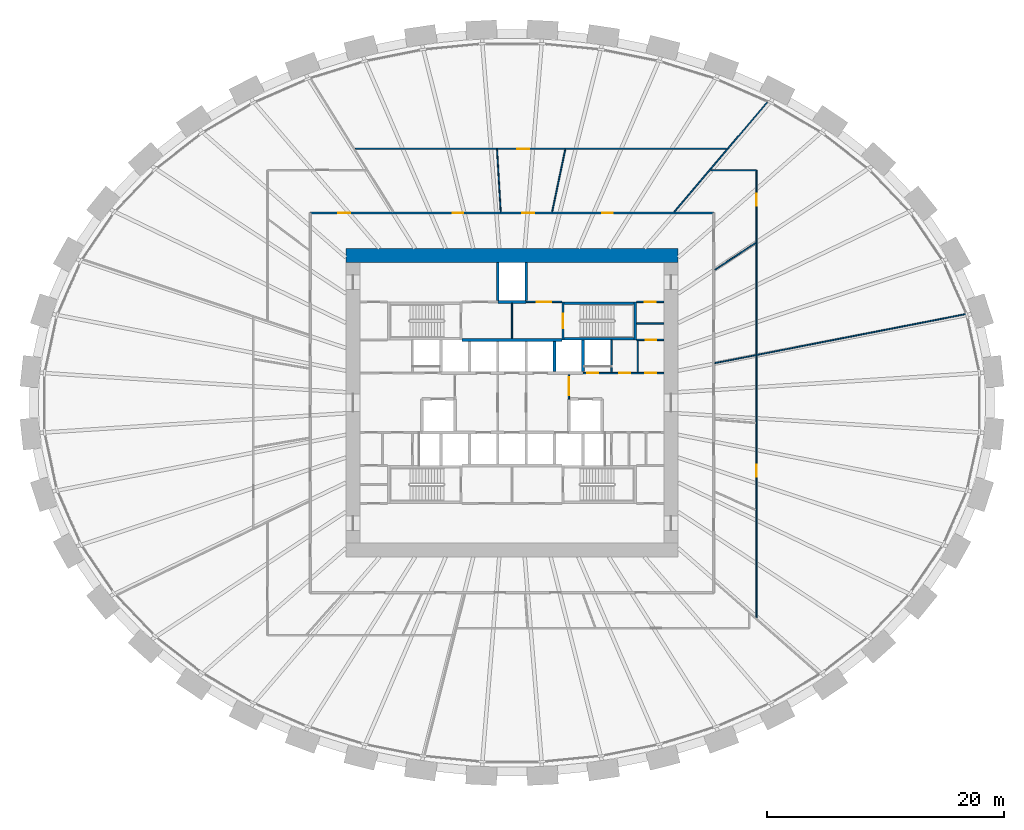
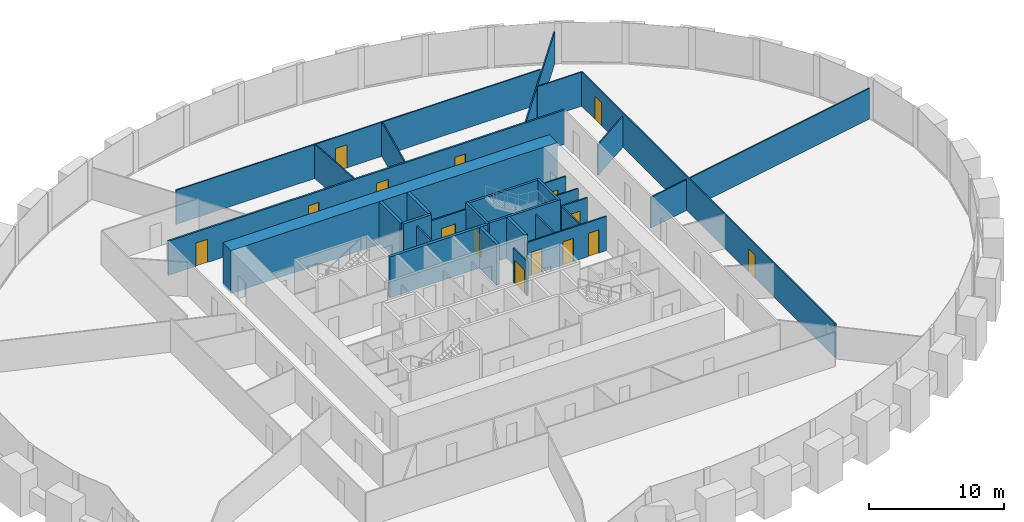
# One storey, part 9 of 11: 29 walls, 15 doors, 15 openings.
"""IFC4 building model written with IfcOpenShell, lengths in metres."""

from ifc_helpers import new_model, si_unit, direction, frame, frame_2d, origin, place, context, subcontext, project, spatial, rectangle, extrude, source, transform, mapped, material, layer, layer_set, type_object, element, fill, save


model = new_model("IFC4")

# Units and contexts
model_context = context("Model", 3, precision=1e-05, world=origin(), true_north=direction((0.0, 1.0)))
body_context = subcontext(model_context, "Body", "Model", "MODEL_VIEW")
ifc_project = project(units=[si_unit("LENGTHUNIT", "METRE"), si_unit("AREAUNIT", "SQUARE_METRE"), si_unit("VOLUMEUNIT", "CUBIC_METRE"), si_unit("PLANEANGLEUNIT", "RADIAN"), si_unit("MASSUNIT", "GRAM", prefix="KILO")], contexts=[model_context])

# Site, building, storey
site_placement = place(None, origin())
site = spatial("IfcSite", under=ifc_project, at=site_placement, CompositionType="ELEMENT")
building_placement = place(site_placement, origin())
building = spatial("IfcBuilding", under=site, at=building_placement, Name="Embergate Tower", CompositionType="ELEMENT")
storey_placement = place(building_placement, frame((0.0, 0.0, 58.10009765625)))
storey = spatial("IfcBuildingStorey", under=building, at=storey_placement, Name="L10", CompositionType="ELEMENT", Elevation=58.10009765625)

# Walls
ifc_material_1 = material(Name="Concrete C80", Category="concrete")
ifc_layer_1 = layer(ifc_material_1, 1.199951171875)
ifc_layer_set_1 = layer_set([ifc_layer_1], Name="Concrete C80")
wall_type_1 = type_object("IfcWallType", Name="Core outer wall C80 1200", PredefinedType="SHEAR", material=ifc_layer_set_1)
shared_shape_1 = source(origin(), body_context, "Body", "SweptSolid", [
    extrude(rectangle(XDim=28.0, YDim=1.199951171875, at=frame_2d((14.0, 0.0))), origin(), (0.0, 0.0, 1.0), 3.900146484375),
])
wall_1_placement = place(storey_placement, frame((-14.0, 12.39990234375, -0.2001953125), z_axis=(0.0, 0.0, 1.0), x_axis=(1.0, 0.0, 0.0)))
element("IfcWall", 1, at=wall_1_placement, inside=storey, type_object=wall_type_1, Name="CW-L10-N", PredefinedType="SHEAR", context=body_context, shape_type="MappedRepresentation", body=[
    mapped(shared_shape_1, transform((0.0, 0.0, 0.0))),
])
ifc_material_2 = material(Name="Concrete C50", Category="concrete")
ifc_layer_2 = layer(ifc_material_2, 0.25)
ifc_layer_set_2 = layer_set([ifc_layer_2], Name="Concrete C50")
wall_type_2 = type_object("IfcWallType", Name="Hoistway wall reinforced concrete 250", PredefinedType="SHEAR", material=ifc_layer_set_2)
shared_shape_2 = source(origin(), body_context, "Body", "SweptSolid", [
    extrude(rectangle(XDim=2.675048828125, YDim=0.25, at=frame_2d((1.33740234375, 0.0))), origin(), (0.0, 0.0, 1.0), 3.699951171875),
])
wall_2_placement = place(storey_placement, frame((6.0, 2.625, 0.0), z_axis=(0.0, 0.0, 1.0), x_axis=(0.0, 1.0, 0.0)))
element("IfcWall", 2, at=wall_2_placement, inside=storey, type_object=wall_type_2, Name="HW-1 wall", PredefinedType="SHEAR", context=body_context, shape_type="MappedRepresentation", body=[
    mapped(shared_shape_2, transform((0.0, 0.0, 0.0))),
])
ifc_layer_3 = layer(ifc_material_2, 0.199951171875)
ifc_layer_set_3 = layer_set([ifc_layer_3], Name="Concrete C50")
wall_type_3 = type_object("IfcWallType", Name="Stair enclosure wall reinforced concrete 250", PredefinedType="SHEAR", material=ifc_layer_set_3)
shared_shape_3 = source(origin(), body_context, "Body", "SweptSolid", [
    extrude(rectangle(XDim=6.300048828125, YDim=0.199951171875, at=frame_2d((3.14990234375, 0.0))), origin(), (0.0, 0.0, 1.0), 3.699951171875),
])
for number, where, z_axis, x_axis, name in (
    (3, (10.5, 5.39990234375, 0.0), (0.0, 0.0, 1.0), (-1.0, 0.0, 0.0), "SE-1 wall"),
    (4, (10.5, 8.39990234375, 0.0), (0.0, 0.0, 1.0), (-1.0, 0.0, 0.0), "SE-1 wall"),
):
    element("IfcWall", number, at=place(storey_placement, frame(where, z_axis=z_axis, x_axis=x_axis)), inside=storey, type_object=wall_type_3, Name=name, PredefinedType="SHEAR", context=body_context, shape_type="MappedRepresentation", body=[
        mapped(shared_shape_3, transform((0.0, 0.0, 0.0))),
    ])
shared_shape_4 = source(origin(), body_context, "Body", "SweptSolid", [
    extrude(rectangle(XDim=2.550048828125, YDim=0.25, at=frame_2d((1.27490234375, 0.0))), origin(), (0.0, 0.0, 1.0), 3.699951171875),
])
wall_3_placement = place(storey_placement, frame((3.60009765625, 2.625, 0.0), z_axis=(0.0, 0.0, 1.0), x_axis=(0.0, 1.0, 0.0)))
element("IfcWall", 5, at=wall_3_placement, inside=storey, type_object=wall_type_2, Name="HW-1 wall", PredefinedType="SHEAR", context=body_context, shape_type="MappedRepresentation", body=[
    mapped(shared_shape_4, transform((0.0, 0.0, 0.0))),
])
shared_shape_5 = source(origin(), body_context, "Body", "SweptSolid", [
    extrude(rectangle(XDim=8.39990234375, YDim=0.25, at=frame_2d((4.199951171875, 0.0))), origin(), (0.0, 0.0, 1.0), 3.699951171875),
])
wall_4_placement = place(storey_placement, frame((4.199951171875, 5.300048828125, 0.0), z_axis=(0.0, 0.0, 1.0), x_axis=(-1.0, 0.0, 0.0)))
element("IfcWall", 6, at=wall_4_placement, inside=storey, type_object=wall_type_2, Name="HW-1 wall", PredefinedType="SHEAR", context=body_context, shape_type="MappedRepresentation", body=[
    mapped(shared_shape_5, transform((0.0, 0.0, 0.0))),
])

# Wall, opening, door
shared_shape_6 = source(origin(), body_context, "Body", "SweptSolid", [
    extrude(rectangle(XDim=3.199951171875, YDim=0.199951171875, at=frame_2d((1.60009765625, 0.0))), origin(), (0.0, 0.0, 1.0), 3.699951171875),
])
wall_5_placement = place(storey_placement, frame((4.300048828125, 8.5, 0.0), z_axis=(0.0, 0.0, 1.0), x_axis=(0.0, -1.0, 0.0)))
wall_5 = element("IfcWall", 7, at=wall_5_placement, inside=storey, type_object=wall_type_3, Name="SE-1 wall", PredefinedType="SHEAR", context=body_context, shape_type="MappedRepresentation", body=[
    mapped(shared_shape_6, transform((0.0, 0.0, 0.0))),
])
shared_shape_7 = source(origin(), body_context, "Body", "SweptSolid", [
    extrude(rectangle(XDim=1.199951171875, YDim=2.10009765625, at=frame_2d((0.60009765625, 1.050048828125))), frame((0.0, 0.10986328125, 0.0), z_axis=(0.0, -1.0, 0.0), x_axis=(1.0, 0.0, 0.0)), (0.0, 0.0, 1.0), 0.219970703125),
])
opening_1_placement = place(wall_5_placement, frame((1.0, 0.0, 0.0)))
opening_1 = element("IfcOpeningElement", 8, at=opening_1_placement, cuts=wall_5, Name="Opening IF-2", PredefinedType="OPENING", context=body_context, shape_type="MappedRepresentation", body=[
    mapped(shared_shape_7, transform((0.0, 0.0, 0.0))),
])
ifc_material_3 = material(Name="Stair enclosure door 1200")
door_type_1 = type_object("IfcDoorType", Name="Stair enclosure door 1200", OperationType="SINGLE_SWING_LEFT", PredefinedType="DOOR", material=ifc_material_3)
shared_shape_8 = source(origin(), body_context, "Body", "SweptSolid", [
    extrude(rectangle(XDim=1.199951171875, YDim=2.10009765625, at=frame_2d((0.60009765625, 1.050048828125))), frame((0.0, 0.02490234375, 0.0), z_axis=(0.0, -1.0, 0.0), x_axis=(1.0, 0.0, 0.0)), (0.0, 0.0, 1.0), 0.050048828125),
])
door_1_placement = place(opening_1_placement, origin())
door_1 = element("IfcDoor", 9, at=door_1_placement, inside=storey, type_object=door_type_1, Name="IF-2 door", OperationType="SINGLE_SWING_RIGHT", OverallHeight=2.10009765625, OverallWidth=1.199951171875, PredefinedType="DOOR", context=body_context, shape_type="MappedRepresentation", body=[
    mapped(shared_shape_8, transform((0.0, 0.0, 0.0))),
])
fill(opening_1, door_1)

# Walls
wall_6_placement = place(storey_placement, frame((10.39990234375, 5.300048828125, 0.0), z_axis=(0.0, 0.0, 1.0), x_axis=(0.0, 1.0, 0.0)))
element("IfcWall", 10, at=wall_6_placement, inside=storey, type_object=wall_type_3, Name="SE-1 wall", PredefinedType="SHEAR", context=body_context, shape_type="MappedRepresentation", body=[
    mapped(shared_shape_6, transform((0.0, 0.0, 0.0))),
])
shared_shape_9 = source(origin(), body_context, "Body", "SweptSolid", [
    extrude(rectangle(XDim=2.39990234375, YDim=0.25, at=frame_2d((1.199951171875, 0.0))), origin(), (0.0, 0.0, 1.0), 3.699951171875),
])
wall_7_placement = place(storey_placement, frame((1.199951171875, 8.5, 0.0), z_axis=(0.0, 0.0, 1.0), x_axis=(-1.0, 0.0, 0.0)))
element("IfcWall", 11, at=wall_7_placement, inside=storey, type_object=wall_type_2, Name="HW-1 wall", PredefinedType="SHEAR", context=body_context, shape_type="MappedRepresentation", body=[
    mapped(shared_shape_9, transform((0.0, 0.0, 0.0))),
])
shared_shape_10 = source(origin(), body_context, "Body", "SweptSolid", [
    extrude(rectangle(XDim=3.175048828125, YDim=0.25, at=frame_2d((1.58740234375, 0.0))), origin(), (0.0, 0.0, 1.0), 3.699951171875),
])
for number, where, z_axis, x_axis, name in (
    (12, (-1.199951171875, 8.625, 0.0), (0.0, 0.0, 1.0), (0.0, 1.0, 0.0), "HW-1 wall"),
    (13, (1.199951171875, 11.800048828125, 0.0), (0.0, 0.0, 1.0), (0.0, -1.0, 0.0), "HW-1 wall"),
):
    element("IfcWall", number, at=place(storey_placement, frame(where, z_axis=z_axis, x_axis=x_axis)), inside=storey, type_object=wall_type_2, Name=name, PredefinedType="SHEAR", context=body_context, shape_type="MappedRepresentation", body=[
        mapped(shared_shape_10, transform((0.0, 0.0, 0.0))),
    ])

# Wall, openings, doors
ifc_material_4 = material(Name="Core partition blockwork 120")
ifc_layer_4 = layer(ifc_material_4, 0.1201171875)
ifc_layer_set_4 = layer_set([ifc_layer_4], Name="Core partition blockwork 120")
wall_type_4 = type_object("IfcWallType", Name="Core partition blockwork 120", PredefinedType="PARTITIONING", material=ifc_layer_set_4)
shared_shape_11 = source(origin(), body_context, "Body", "SweptSolid", [
    extrude(rectangle(XDim=6.800048828125, YDim=0.1201171875, at=frame_2d((3.39990234375, 0.0))), origin(), (0.0, 0.0, 1.0), 3.099853515625),
])
wall_8_placement = place(storey_placement, frame((6.0, 2.5, 0.0), z_axis=(0.0, 0.0, 1.0), x_axis=(1.0, 0.0, 0.0)))
wall_8 = element("IfcWall", 14, at=wall_8_placement, inside=storey, type_object=wall_type_4, Name="IP-3 wall", PredefinedType="PARTITIONING", context=body_context, shape_type="MappedRepresentation", body=[
    mapped(shared_shape_11, transform((0.0, 0.0, 0.0))),
])
shared_shape_12 = source(origin(), body_context, "Body", "SweptSolid", [
    extrude(rectangle(XDim=0.89990234375, YDim=2.10009765625, at=frame_2d((0.449951171875, 1.050048828125))), frame((0.0, 0.070068359375, 0.0), z_axis=(0.0, -1.0, 0.0), x_axis=(1.0, 0.0, 0.0)), (0.0, 0.0, 1.0), 0.14013671875),
])
opening_2_placement = place(wall_8_placement, frame((0.35009765625, 0.0, 0.0)))
opening_2 = element("IfcOpeningElement", 15, at=opening_2_placement, cuts=wall_8, Name="Opening ID-1", PredefinedType="OPENING", context=body_context, shape_type="MappedRepresentation", body=[
    mapped(shared_shape_12, transform((0.0, 0.0, 0.0))),
])
opening_3_placement = place(wall_8_placement, frame((3.050048828125, 0.0, 0.0)))
opening_3 = element("IfcOpeningElement", 16, at=opening_3_placement, cuts=wall_8, Name="Opening ID-1", PredefinedType="OPENING", context=body_context, shape_type="MappedRepresentation", body=[
    mapped(shared_shape_12, transform((0.0, 0.0, 0.0))),
])
opening_4_placement = place(wall_8_placement, frame((5.25, 0.0, 0.0)))
opening_4 = element("IfcOpeningElement", 17, at=opening_4_placement, cuts=wall_8, Name="Opening ID-1", PredefinedType="OPENING", context=body_context, shape_type="MappedRepresentation", body=[
    mapped(shared_shape_12, transform((0.0, 0.0, 0.0))),
])
ifc_material_5 = material(Name="Interior door 900")
door_type_2 = type_object("IfcDoorType", Name="Interior door 900", OperationType="SINGLE_SWING_LEFT", PredefinedType="DOOR", material=ifc_material_5)
shared_shape_13 = source(origin(), body_context, "Body", "SweptSolid", [
    extrude(rectangle(XDim=0.89990234375, YDim=2.10009765625, at=frame_2d((0.449951171875, 1.050048828125))), frame((0.0, 0.02490234375, 0.0), z_axis=(0.0, -1.0, 0.0), x_axis=(1.0, 0.0, 0.0)), (0.0, 0.0, 1.0), 0.050048828125),
])
door_2_placement = place(opening_2_placement, origin())
door_2 = element("IfcDoor", 18, at=door_2_placement, inside=storey, type_object=door_type_2, Name="ID-1 door", OperationType="SINGLE_SWING_LEFT", OverallHeight=2.10009765625, OverallWidth=0.89990234375, PredefinedType="DOOR", context=body_context, shape_type="MappedRepresentation", body=[
    mapped(shared_shape_13, transform((0.0, 0.0, 0.0))),
])
fill(opening_2, door_2)
door_3_placement = place(opening_3_placement, origin())
door_3 = element("IfcDoor", 19, at=door_3_placement, inside=storey, type_object=door_type_2, Name="ID-1 door", OperationType="SINGLE_SWING_LEFT", OverallHeight=2.10009765625, OverallWidth=0.89990234375, PredefinedType="DOOR", context=body_context, shape_type="MappedRepresentation", body=[
    mapped(shared_shape_13, transform((0.0, 0.0, 0.0))),
])
fill(opening_3, door_3)
door_4_placement = place(opening_4_placement, origin())
door_4 = element("IfcDoor", 20, at=door_4_placement, inside=storey, type_object=door_type_2, Name="ID-1 door", OperationType="SINGLE_SWING_LEFT", OverallHeight=2.10009765625, OverallWidth=0.89990234375, PredefinedType="DOOR", context=body_context, shape_type="MappedRepresentation", body=[
    mapped(shared_shape_13, transform((0.0, 0.0, 0.0))),
])
fill(opening_4, door_4)

# Wall
shared_shape_14 = source(origin(), body_context, "Body", "SweptSolid", [
    extrude(rectangle(XDim=2.739990234375, YDim=0.1201171875, at=frame_2d((1.3701171875, 0.0))), origin(), (0.0, 0.0, 1.0), 3.099853515625),
])
wall_9_placement = place(storey_placement, frame((8.39990234375, 2.56005859375, 0.0), z_axis=(0.0, 0.0, 1.0), x_axis=(0.0, 1.0, 0.0)))
element("IfcWall", 21, at=wall_9_placement, inside=storey, type_object=wall_type_4, Name="IP-3 wall", PredefinedType="PARTITIONING", context=body_context, shape_type="MappedRepresentation", body=[
    mapped(shared_shape_14, transform((0.0, 0.0, 0.0))),
])

# Wall, opening, door
shared_shape_15 = source(origin(), body_context, "Body", "SweptSolid", [
    extrude(rectangle(XDim=2.074951171875, YDim=0.1201171875, at=frame_2d((1.03759765625, 0.0))), origin(), (0.0, 0.0, 1.0), 3.099853515625),
])
wall_10_placement = place(storey_placement, frame((4.800048828125, 0.300048828125, 0.0), z_axis=(0.0, 0.0, 1.0), x_axis=(0.0, 1.0, 0.0)))
wall_10 = element("IfcWall", 22, at=wall_10_placement, inside=storey, type_object=wall_type_4, Name="IP-3 wall", PredefinedType="PARTITIONING", context=body_context, shape_type="MappedRepresentation", body=[
    mapped(shared_shape_15, transform((0.0, 0.0, 0.0))),
])
shared_shape_16 = source(origin(), body_context, "Body", "SweptSolid", [
    extrude(rectangle(XDim=1.5, YDim=2.10009765625, at=frame_2d((0.75, 1.050048828125))), frame((0.0, 0.070068359375, 0.0), z_axis=(0.0, -1.0, 0.0), x_axis=(1.0, 0.0, 0.0)), (0.0, 0.0, 1.0), 0.14013671875),
])
opening_5_placement = place(wall_10_placement, frame((0.35009765625, 0.0, 0.0)))
opening_5 = element("IfcOpeningElement", 23, at=opening_5_placement, cuts=wall_10, Name="Opening IF-3", PredefinedType="OPENING", context=body_context, shape_type="MappedRepresentation", body=[
    mapped(shared_shape_16, transform((0.0, 0.0, 0.0))),
])
ifc_material_6 = material(Name="Lobby fire door pair 1500")
door_type_3 = type_object("IfcDoorType", Name="Lobby fire door pair 1500", OperationType="DOUBLE_DOOR_SINGLE_SWING", PredefinedType="DOOR", material=ifc_material_6)
shared_shape_17 = source(origin(), body_context, "Body", "SweptSolid", [
    extrude(rectangle(XDim=1.5, YDim=2.10009765625, at=frame_2d((0.75, 1.050048828125))), frame((0.0, 0.02490234375, 0.0), z_axis=(0.0, -1.0, 0.0), x_axis=(1.0, 0.0, 0.0)), (0.0, 0.0, 1.0), 0.050048828125),
])
door_5_placement = place(opening_5_placement, origin())
door_5 = element("IfcDoor", 24, at=door_5_placement, inside=storey, type_object=door_type_3, Name="IF-3 door", OperationType="DOUBLE_DOOR_SINGLE_SWING", OverallHeight=2.10009765625, OverallWidth=1.5, PredefinedType="DOOR", context=body_context, shape_type="MappedRepresentation", body=[
    mapped(shared_shape_17, transform((0.0, 0.0, 0.0))),
])
fill(opening_5, door_5)

# Wall
shared_shape_18 = source(origin(), body_context, "Body", "SweptSolid", [
    extrude(rectangle(XDim=2.949951171875, YDim=0.1201171875, at=frame_2d((1.47509765625, 0.0))), origin(), (0.0, 0.0, 1.0), 3.099853515625),
])
wall_11_placement = place(storey_placement, frame((0.0, 5.425048828125, 0.0), z_axis=(0.0, 0.0, 1.0), x_axis=(0.0, 1.0, 0.0)))
element("IfcWall", 25, at=wall_11_placement, inside=storey, type_object=wall_type_4, Name="IP-3 wall", PredefinedType="PARTITIONING", context=body_context, shape_type="MappedRepresentation", body=[
    mapped(shared_shape_18, transform((0.0, 0.0, 0.0))),
])

# Wall, opening, door
shared_shape_19 = source(origin(), body_context, "Body", "SweptSolid", [
    extrude(rectangle(XDim=3.0, YDim=0.1201171875, at=frame_2d((1.5, 0.0))), origin(), (0.0, 0.0, 1.0), 3.099853515625),
])
wall_12_placement = place(storey_placement, frame((4.199951171875, 8.5, 0.0), z_axis=(0.0, 0.0, 1.0), x_axis=(-1.0, 0.0, 0.0)))
wall_12 = element("IfcWall", 26, at=wall_12_placement, inside=storey, type_object=wall_type_4, Name="IP-3 wall", PredefinedType="PARTITIONING", context=body_context, shape_type="MappedRepresentation", body=[
    mapped(shared_shape_19, transform((0.0, 0.0, 0.0))),
])
shared_shape_20 = source(origin(), body_context, "Body", "SweptSolid", [
    extrude(rectangle(XDim=1.199951171875, YDim=2.10009765625, at=frame_2d((0.60009765625, 1.050048828125))), frame((0.0, 0.070068359375, 0.0), z_axis=(0.0, -1.0, 0.0), x_axis=(1.0, 0.0, 0.0)), (0.0, 0.0, 1.0), 0.14013671875),
])
opening_6_placement = place(wall_12_placement, frame((0.89990234375, 0.0, 0.0)))
opening_6 = element("IfcOpeningElement", 27, at=opening_6_placement, cuts=wall_12, Name="Opening IF-3f", PredefinedType="OPENING", context=body_context, shape_type="MappedRepresentation", body=[
    mapped(shared_shape_20, transform((0.0, 0.0, 0.0))),
])
ifc_material_7 = material(Name="Lobby fire door pair 1200")
door_type_4 = type_object("IfcDoorType", Name="Lobby fire door pair 1200", OperationType="DOUBLE_DOOR_SINGLE_SWING", PredefinedType="DOOR", material=ifc_material_7)
door_6_placement = place(opening_6_placement, origin())
door_6 = element("IfcDoor", 28, at=door_6_placement, inside=storey, type_object=door_type_4, Name="IF-3 door", OperationType="DOUBLE_DOOR_SINGLE_SWING", OverallHeight=2.10009765625, OverallWidth=1.199951171875, PredefinedType="DOOR", context=body_context, shape_type="MappedRepresentation", body=[
    mapped(shared_shape_8, transform((0.0, 0.0, 0.0))),
])
fill(opening_6, door_6)

shared_shape_21 = source(origin(), body_context, "Body", "SweptSolid", [
    extrude(rectangle(XDim=2.300048828125, YDim=0.1201171875, at=frame_2d((1.14990234375, 0.0))), origin(), (0.0, 0.0, 1.0), 3.099853515625),
])
wall_13_placement = place(storey_placement, frame((10.5, 8.5, 0.0), z_axis=(0.0, 0.0, 1.0), x_axis=(1.0, 0.0, 0.0)))
wall_13 = element("IfcWall", 29, at=wall_13_placement, inside=storey, type_object=wall_type_4, Name="IP-3 wall", PredefinedType="PARTITIONING", context=body_context, shape_type="MappedRepresentation", body=[
    mapped(shared_shape_21, transform((0.0, 0.0, 0.0))),
])
opening_7_placement = place(wall_13_placement, frame((0.699951171875, 0.0, 0.0)))
opening_7 = element("IfcOpeningElement", 30, at=opening_7_placement, cuts=wall_13, Name="Opening ID-1", PredefinedType="OPENING", context=body_context, shape_type="MappedRepresentation", body=[
    mapped(shared_shape_12, transform((0.0, 0.0, 0.0))),
])
door_7_placement = place(opening_7_placement, origin())
door_7 = element("IfcDoor", 31, at=door_7_placement, inside=storey, type_object=door_type_2, Name="ID-1 door", OperationType="SINGLE_SWING_RIGHT", OverallHeight=2.10009765625, OverallWidth=0.89990234375, PredefinedType="DOOR", context=body_context, shape_type="MappedRepresentation", body=[
    mapped(shared_shape_13, transform((0.0, 0.0, 0.0))),
])
fill(opening_7, door_7)

wall_14_placement = place(storey_placement, frame((12.800048828125, 5.300048828125, 0.0), z_axis=(0.0, 0.0, 1.0), x_axis=(-1.0, 0.0, 0.0)))
wall_14 = element("IfcWall", 32, at=wall_14_placement, inside=storey, type_object=wall_type_4, Name="IP-3 wall", PredefinedType="PARTITIONING", context=body_context, shape_type="MappedRepresentation", body=[
    mapped(shared_shape_21, transform((0.0, 0.0, 0.0))),
])
opening_8_placement = place(wall_14_placement, frame((0.64990234375, 0.0, 0.0)))
opening_8 = element("IfcOpeningElement", 33, at=opening_8_placement, cuts=wall_14, Name="Opening ID-1", PredefinedType="OPENING", context=body_context, shape_type="MappedRepresentation", body=[
    mapped(shared_shape_12, transform((0.0, 0.0, 0.0))),
])
door_8_placement = place(opening_8_placement, origin())
door_8 = element("IfcDoor", 34, at=door_8_placement, inside=storey, type_object=door_type_2, Name="ID-1 door", OperationType="SINGLE_SWING_LEFT", OverallHeight=2.10009765625, OverallWidth=0.89990234375, PredefinedType="DOOR", context=body_context, shape_type="MappedRepresentation", body=[
    mapped(shared_shape_13, transform((0.0, 0.0, 0.0))),
])
fill(opening_8, door_8)

# Walls
wall_15_placement = place(storey_placement, frame((12.800048828125, 6.676025390625, 0.0), z_axis=(0.0, 0.0, 1.0), x_axis=(-1.0, 0.0, 0.0)))
element("IfcWall", 35, at=wall_15_placement, inside=storey, type_object=wall_type_4, Name="IP-3 wall", PredefinedType="PARTITIONING", context=body_context, shape_type="MappedRepresentation", body=[
    mapped(shared_shape_21, transform((0.0, 0.0, 0.0))),
])
shared_shape_22 = source(origin(), body_context, "Body", "SweptSolid", [
    extrude(rectangle(XDim=2.679931640625, YDim=0.1201171875, at=frame_2d((1.33984375, 0.0))), origin(), (0.0, 0.0, 1.0), 3.099853515625),
])
wall_16_placement = place(storey_placement, frame((10.60009765625, 2.56005859375, 0.0), z_axis=(0.0, 0.0, 1.0), x_axis=(0.0, 1.0, 0.0)))
element("IfcWall", 36, at=wall_16_placement, inside=storey, type_object=wall_type_4, Name="IP-3 wall", PredefinedType="PARTITIONING", context=body_context, shape_type="MappedRepresentation", body=[
    mapped(shared_shape_22, transform((0.0, 0.0, 0.0))),
])

# Wall, openings, doors
ifc_material_8 = material(Name="Corridor wall dry-lined 150")
ifc_layer_5 = layer(ifc_material_8, 0.14990234375)
ifc_layer_set_5 = layer_set([ifc_layer_5], Name="Corridor wall dry-lined 150")
wall_type_5 = type_object("IfcWallType", Name="Corridor wall dry-lined 150", PredefinedType="PARTITIONING", material=ifc_layer_set_5)
shared_shape_23 = source(origin(), body_context, "Body", "SweptSolid", [
    extrude(rectangle(XDim=34.0, YDim=0.14990234375, at=frame_2d((17.0, 0.0))), origin(), (0.0, 0.0, 1.0), 3.099853515625),
])
wall_17_placement = place(storey_placement, frame((-17.0, 16.0, 0.0), z_axis=(0.0, 0.0, 1.0), x_axis=(1.0, 0.0, 0.0)))
wall_17 = element("IfcWall", 37, at=wall_17_placement, inside=storey, type_object=wall_type_5, Name="IP-2 wall", PredefinedType="PARTITIONING", context=body_context, shape_type="MappedRepresentation", body=[
    mapped(shared_shape_23, transform((0.0, 0.0, 0.0))),
])
shared_shape_24 = source(origin(), body_context, "Body", "SweptSolid", [
    extrude(rectangle(XDim=0.89990234375, YDim=2.10009765625, at=frame_2d((0.449951171875, 1.050048828125))), frame((0.0, 0.0849609375, 0.0), z_axis=(0.0, -1.0, 0.0), x_axis=(1.0, 0.0, 0.0)), (0.0, 0.0, 1.0), 0.169921875),
])
opening_9_placement = place(wall_17_placement, frame((24.591064453125, 0.0, 0.0)))
opening_9 = element("IfcOpeningElement", 38, at=opening_9_placement, cuts=wall_17, Name="Opening IF-1c", PredefinedType="OPENING", context=body_context, shape_type="MappedRepresentation", body=[
    mapped(shared_shape_24, transform((0.0, 0.0, 0.0))),
])
shared_shape_25 = source(origin(), body_context, "Body", "SweptSolid", [
    extrude(rectangle(XDim=1.0, YDim=2.10009765625, at=frame_2d((0.5, 1.050048828125))), frame((0.0, 0.0849609375, 0.0), z_axis=(0.0, -1.0, 0.0), x_axis=(1.0, 0.0, 0.0)), (0.0, 0.0, 1.0), 0.169921875),
])
opening_10_placement = place(wall_17_placement, frame((17.87109375, 0.0, 0.0)))
opening_10 = element("IfcOpeningElement", 39, at=opening_10_placement, cuts=wall_17, Name="Opening ID-2", PredefinedType="OPENING", context=body_context, shape_type="MappedRepresentation", body=[
    mapped(shared_shape_25, transform((0.0, 0.0, 0.0))),
])
opening_11_placement = place(wall_17_placement, frame((12.0048828125, 0.0, 0.0)))
opening_11 = element("IfcOpeningElement", 40, at=opening_11_placement, cuts=wall_17, Name="Opening IF-1c", PredefinedType="OPENING", context=body_context, shape_type="MappedRepresentation", body=[
    mapped(shared_shape_24, transform((0.0, 0.0, 0.0))),
])
opening_12_placement = place(wall_17_placement, frame((2.3740234375, 0.0, 0.0)))
opening_12 = element("IfcOpeningElement", 41, at=opening_12_placement, cuts=wall_17, Name="Opening ID-2", PredefinedType="OPENING", context=body_context, shape_type="MappedRepresentation", body=[
    mapped(shared_shape_25, transform((0.0, 0.0, 0.0))),
])
ifc_material_9 = material(Name="Escape fire door 900")
door_type_5 = type_object("IfcDoorType", Name="Escape fire door 900", OperationType="SINGLE_SWING_LEFT", PredefinedType="DOOR", material=ifc_material_9)
door_9_placement = place(opening_9_placement, origin())
door_9 = element("IfcDoor", 42, at=door_9_placement, inside=storey, type_object=door_type_5, Name="IF-1 door", OperationType="SINGLE_SWING_RIGHT", OverallHeight=2.10009765625, OverallWidth=0.89990234375, PredefinedType="DOOR", context=body_context, shape_type="MappedRepresentation", body=[
    mapped(shared_shape_13, transform((0.0, 0.0, 0.0))),
])
fill(opening_9, door_9)
door_10_placement = place(opening_11_placement, origin())
door_10 = element("IfcDoor", 43, at=door_10_placement, inside=storey, type_object=door_type_5, Name="IF-1 door", OperationType="SINGLE_SWING_RIGHT", OverallHeight=2.10009765625, OverallWidth=0.89990234375, PredefinedType="DOOR", context=body_context, shape_type="MappedRepresentation", body=[
    mapped(shared_shape_13, transform((0.0, 0.0, 0.0))),
])
fill(opening_11, door_10)
ifc_material_10 = material(Name="Interior door 1000")
door_type_6 = type_object("IfcDoorType", Name="Interior door 1000", OperationType="SINGLE_SWING_LEFT", PredefinedType="DOOR", material=ifc_material_10)
shared_shape_26 = source(origin(), body_context, "Body", "SweptSolid", [
    extrude(rectangle(XDim=1.0, YDim=2.10009765625, at=frame_2d((0.5, 1.050048828125))), frame((0.0, 0.02490234375, 0.0), z_axis=(0.0, -1.0, 0.0), x_axis=(1.0, 0.0, 0.0)), (0.0, 0.0, 1.0), 0.050048828125),
])
door_11_placement = place(opening_10_placement, origin())
door_11 = element("IfcDoor", 44, at=door_11_placement, inside=storey, type_object=door_type_6, Name="ID-2 door", OperationType="SINGLE_SWING_RIGHT", OverallHeight=2.10009765625, OverallWidth=1.0, PredefinedType="DOOR", context=body_context, shape_type="MappedRepresentation", body=[
    mapped(shared_shape_26, transform((0.0, 0.0, 0.0))),
])
fill(opening_10, door_11)
door_12_placement = place(opening_12_placement, origin())
door_12 = element("IfcDoor", 45, at=door_12_placement, inside=storey, type_object=door_type_6, Name="ID-2 door", OperationType="SINGLE_SWING_LEFT", OverallHeight=2.10009765625, OverallWidth=1.0, PredefinedType="DOOR", context=body_context, shape_type="MappedRepresentation", body=[
    mapped(shared_shape_26, transform((0.0, 0.0, 0.0))),
])
fill(opening_12, door_12)

ifc_material_11 = material(Name="Partition dry-lined 100")
ifc_layer_6 = layer(ifc_material_11, 0.10009765625)
ifc_layer_set_6 = layer_set([ifc_layer_6], Name="Partition dry-lined 100")
wall_type_6 = type_object("IfcWallType", Name="Partition dry-lined 100", PredefinedType="PARTITIONING", material=ifc_layer_set_6)
shared_shape_27 = source(origin(), body_context, "Body", "SweptSolid", [
    extrude(rectangle(XDim=37.7060546875, YDim=0.10009765625, at=frame_2d((18.85302734375, 0.0))), origin(), (0.0, 0.0, 1.0), 3.099853515625),
])
wall_18_placement = place(storey_placement, frame((20.60009765625, -18.10595703125, 0.0), z_axis=(0.0, 0.0, 1.0), x_axis=(0.0, 1.0, 0.0)))
wall_18 = element("IfcWall", 46, at=wall_18_placement, inside=storey, type_object=wall_type_6, Name="IP-1 wall", PredefinedType="PARTITIONING", context=body_context, shape_type="MappedRepresentation", body=[
    mapped(shared_shape_27, transform((0.0, 0.0, 0.0))),
])
shared_shape_28 = source(origin(), body_context, "Body", "SweptSolid", [
    extrude(rectangle(XDim=1.0, YDim=2.10009765625, at=frame_2d((0.5, 1.050048828125))), frame((0.0, 0.06005859375, 0.0), z_axis=(0.0, -1.0, 0.0), x_axis=(1.0, 0.0, 0.0)), (0.0, 0.0, 1.0), 0.1201171875),
])
opening_13_placement = place(wall_18_placement, frame((11.885009765625, 0.0, 0.0)))
opening_13 = element("IfcOpeningElement", 47, at=opening_13_placement, cuts=wall_18, Name="Opening ID-2", PredefinedType="OPENING", context=body_context, shape_type="MappedRepresentation", body=[
    mapped(shared_shape_28, transform((0.0, 0.0, 0.0))),
])
opening_14_placement = place(wall_18_placement, frame((34.698974609375, 0.0, 0.0)))
opening_14 = element("IfcOpeningElement", 48, at=opening_14_placement, cuts=wall_18, Name="Opening ID-2", PredefinedType="OPENING", context=body_context, shape_type="MappedRepresentation", body=[
    mapped(shared_shape_28, transform((0.0, 0.0, 0.0))),
])
door_13_placement = place(opening_13_placement, origin())
door_13 = element("IfcDoor", 49, at=door_13_placement, inside=storey, type_object=door_type_6, Name="ID-2 door", OperationType="SINGLE_SWING_RIGHT", OverallHeight=2.10009765625, OverallWidth=1.0, PredefinedType="DOOR", context=body_context, shape_type="MappedRepresentation", body=[
    mapped(shared_shape_26, transform((0.0, 0.0, 0.0))),
])
fill(opening_13, door_13)
door_14_placement = place(opening_14_placement, origin())
door_14 = element("IfcDoor", 50, at=door_14_placement, inside=storey, type_object=door_type_6, Name="ID-2 door", OperationType="SINGLE_SWING_RIGHT", OverallHeight=2.10009765625, OverallWidth=1.0, PredefinedType="DOOR", context=body_context, shape_type="MappedRepresentation", body=[
    mapped(shared_shape_26, transform((0.0, 0.0, 0.0))),
])
fill(opening_14, door_14)

# Walls
shared_shape_29 = source(origin(), body_context, "Body", "SweptSolid", [
    extrude(rectangle(XDim=21.60498046875, YDim=0.10009765625, at=frame_2d((10.802490234375, 0.0))), origin(), (0.0, 0.0, 1.0), 2.7998046875),
])
wall_19_placement = place(storey_placement, frame((38.2890625, 7.48095703125, 0.0), z_axis=(0.0, 0.0, 1.0), x_axis=(-0.98144113654, -0.191763644903, 0.0)))
element("IfcWall", 51, at=wall_19_placement, inside=storey, type_object=wall_type_6, Name="IP-1 wall", PredefinedType="PARTITIONING", context=body_context, shape_type="MappedRepresentation", body=[
    mapped(shared_shape_29, transform((0.0, 0.0, 0.0))),
])
shared_shape_30 = source(origin(), body_context, "Body", "SweptSolid", [
    extrude(rectangle(XDim=4.090576171875, YDim=0.10009765625, at=frame_2d((2.04541015625, 0.0))), origin(), (0.0, 0.0, 1.0), 2.7998046875),
])
wall_20_placement = place(storey_placement, frame((17.10205078125, 11.215087890625, 0.0), z_axis=(0.0, 0.0, 1.0), x_axis=(0.836277118034, 0.548307014229, 0.0)))
element("IfcWall", 52, at=wall_20_placement, inside=storey, type_object=wall_type_6, Name="IP-1 wall", PredefinedType="PARTITIONING", context=body_context, shape_type="MappedRepresentation", body=[
    mapped(shared_shape_30, transform((0.0, 0.0, 0.0))),
])
shared_shape_31 = source(origin(), body_context, "Body", "SweptSolid", [
    extrude(rectangle(XDim=3.842041015625, YDim=0.10009765625, at=frame_2d((1.9208984375, 0.0))), origin(), (0.0, 0.0, 1.0), 3.099853515625),
])
wall_21_placement = place(storey_placement, frame((20.60009765625, 19.60009765625, 0.0), z_axis=(0.0, 0.0, 1.0), x_axis=(-1.0, 0.0, 0.0)))
element("IfcWall", 53, at=wall_21_placement, inside=storey, type_object=wall_type_6, Name="IP-1 wall", PredefinedType="PARTITIONING", context=body_context, shape_type="MappedRepresentation", body=[
    mapped(shared_shape_31, transform((0.0, 0.0, 0.0))),
])
shared_shape_32 = source(origin(), body_context, "Body", "SweptSolid", [
    extrude(rectangle(XDim=12.176025390625, YDim=0.10009765625, at=frame_2d((6.087890625, 0.0))), origin(), (0.0, 0.0, 1.0), 2.89990234375),
])
wall_22_placement = place(storey_placement, frame((21.56591796875, 25.386962890625, 0.0), z_axis=(0.0, 0.0, 1.0), x_axis=(-0.647399860631, -0.76215052349, 0.0)))
element("IfcWall", 54, at=wall_22_placement, inside=storey, type_object=wall_type_6, Name="IP-1 wall", PredefinedType="PARTITIONING", context=body_context, shape_type="MappedRepresentation", body=[
    mapped(shared_shape_32, transform((0.0, 0.0, 0.0))),
])
shared_shape_33 = source(origin(), body_context, "Body", "SweptSolid", [
    extrude(rectangle(XDim=5.3701171875, YDim=0.10009765625, at=frame_2d((2.68505859375, 0.0))), origin(), (0.0, 0.0, 1.0), 3.099853515625),
])
wall_23_placement = place(storey_placement, frame((3.381103515625, 16.0849609375, 0.0), z_axis=(0.0, 0.0, 1.0), x_axis=(0.205767600964, 0.97860088616, 0.0)))
element("IfcWall", 55, at=wall_23_placement, inside=storey, type_object=wall_type_6, Name="IP-1 wall", PredefinedType="PARTITIONING", context=body_context, shape_type="MappedRepresentation", body=[
    mapped(shared_shape_33, transform((0.0, 0.0, 0.0))),
])

# Wall, opening, door
shared_shape_34 = source(origin(), body_context, "Body", "SweptSolid", [
    extrude(rectangle(XDim=31.280029296875, YDim=0.10009765625, at=frame_2d((15.64013671875, 0.0))), origin(), (0.0, 0.0, 1.0), 3.099853515625),
])
wall_24_placement = place(storey_placement, frame((18.071044921875, 21.39990234375, 0.0), z_axis=(0.0, 0.0, 1.0), x_axis=(-1.0, 0.0, 0.0)))
wall_24 = element("IfcWall", 56, at=wall_24_placement, inside=storey, type_object=wall_type_6, Name="IP-1 wall", PredefinedType="PARTITIONING", context=body_context, shape_type="MappedRepresentation", body=[
    mapped(shared_shape_34, transform((0.0, 0.0, 0.0))),
])
opening_15_placement = place(wall_24_placement, frame((16.6201171875, 0.0, 0.0)))
opening_15 = element("IfcOpeningElement", 57, at=opening_15_placement, cuts=wall_24, Name="Opening ID-2", PredefinedType="OPENING", context=body_context, shape_type="MappedRepresentation", body=[
    mapped(shared_shape_28, transform((0.0, 0.0, 0.0))),
])
door_15_placement = place(opening_15_placement, origin())
door_15 = element("IfcDoor", 58, at=door_15_placement, inside=storey, type_object=door_type_6, Name="ID-2 door", OperationType="SINGLE_SWING_LEFT", OverallHeight=2.10009765625, OverallWidth=1.0, PredefinedType="DOOR", context=body_context, shape_type="MappedRepresentation", body=[
    mapped(shared_shape_26, transform((0.0, 0.0, 0.0))),
])
fill(opening_15, door_15)

# Wall
shared_shape_35 = source(origin(), body_context, "Body", "SweptSolid", [
    extrude(rectangle(XDim=5.284423828125, YDim=0.10009765625, at=frame_2d((2.64208984375, 0.0))), origin(), (0.0, 0.0, 1.0), 3.099853515625),
])
wall_25_placement = place(storey_placement, frame((-0.949951171875, 16.074951171875, 0.0), z_axis=(0.0, 0.0, 1.0), x_axis=(-0.059044307581, 0.998255362992, 0.0)))
element("IfcWall", 59, at=wall_25_placement, inside=storey, type_object=wall_type_6, Name="IP-1 wall", PredefinedType="PARTITIONING", context=body_context, shape_type="MappedRepresentation", body=[
    mapped(shared_shape_35, transform((0.0, 0.0, 0.0))),
])

save(model, "model.ifc")
